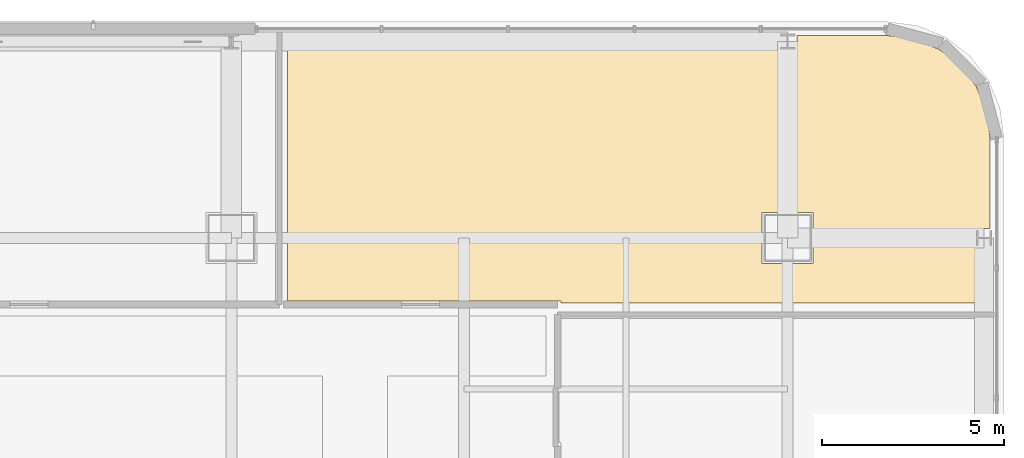
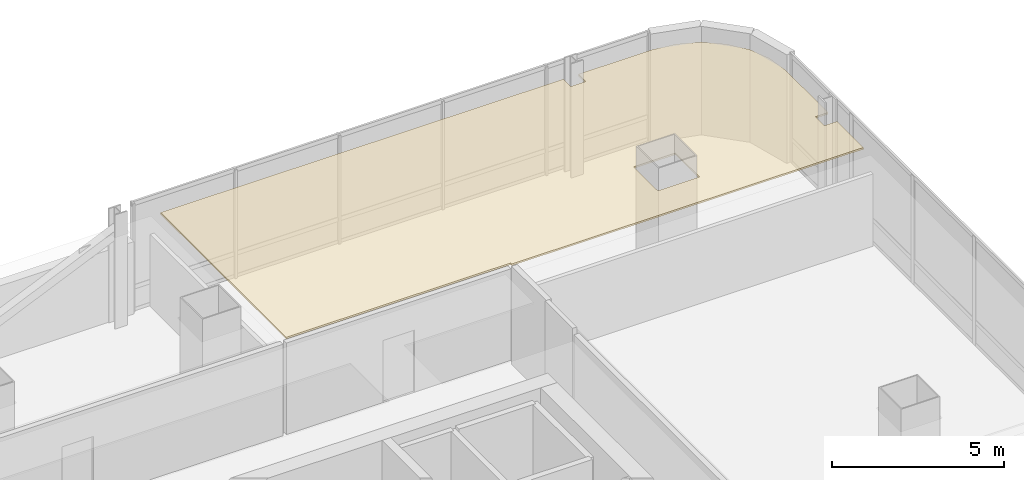
# One storey, part 44 of 44: 1 covering.
"""IFC4 building model written with IfcOpenShell, lengths in metres."""

from ifc_helpers import new_model, si_unit, direction, frame, origin, place, context, subcontext, project, spatial, polyline, outline, extrude, material, layer, layer_set, type_object, element, save


model = new_model("IFC4")

# Units and contexts
model_context = context("Model", 3, precision=1e-05, world=origin(), true_north=direction((0.0, 1.0)))
body_context = subcontext(model_context, "Body", "Model", "MODEL_VIEW")
ifc_project = project(units=[si_unit("LENGTHUNIT", "METRE"), si_unit("AREAUNIT", "SQUARE_METRE"), si_unit("VOLUMEUNIT", "CUBIC_METRE"), si_unit("PLANEANGLEUNIT", "RADIAN"), si_unit("MASSUNIT", "GRAM", prefix="KILO")], contexts=[model_context])

# Site, building, storey
site_placement = place(None, origin())
site = spatial("IfcSite", under=ifc_project, at=site_placement, CompositionType="ELEMENT")
building_placement = place(site_placement, origin())
building = spatial("IfcBuilding", under=site, at=building_placement, Name="Punatoya Terracotta Tower", CompositionType="ELEMENT")
storey_placement = place(building_placement, frame((0.0, 0.0, 267.60009765625)))
storey = spatial("IfcBuildingStorey", under=building, at=storey_placement, Name="L63", CompositionType="ELEMENT", Elevation=267.60009765625)

# Covering
ifc_material = material(Name="Acoustic Mineral Fibre Ceiling")
ifc_layer = layer(ifc_material, 0.06005859375)
ifc_layer_set = layer_set([ifc_layer], Name="Acoustic Mineral Fibre Ceiling")
covering_type = type_object("IfcCoveringType", Name="COV-CEIL-60", PredefinedType="CEILING", material=ifc_layer_set)
covering_placement = place(storey_placement, frame((0.0, 0.0, 3.239990234375)))
element("IfcCovering", 1, at=covering_placement, inside=storey, type_object=covering_type, Name="L63 Open-Plan Materials Testing Laboratory Acoustic Ceiling", PredefinedType="CEILING", context=body_context, shape_type="SweptSolid", body=[
    extrude(outline(polyline([(12.8701171875, 15.7099609375), (24.669921875, 15.7099609375), (24.669921875, 17.241943359375), (24.2470703125, 17.241943359375), (24.2470703125, 17.758056640625), (24.669921875, 17.758056640625), (24.669921875, 20.22509765625), (24.57080078125, 20.97900390625), (24.289306640625, 21.658203125), (23.841796875, 22.24169921875), (23.25830078125, 22.689453125), (22.5791015625, 22.970703125), (21.8251953125, 23.070068359375), (19.35302734375, 23.070068359375), (19.35302734375, 22.64208984375), (18.846923828125, 22.64208984375), (18.846923828125, 23.070068359375), (5.337890625, 23.070068359375), (5.337890625, 15.77001953125), (12.8701171875, 15.77001953125), (12.8701171875, 15.7099609375)]), holes=[polyline([(19.800048828125, 18.199951171875), (19.800048828125, 16.800048828125), (18.39990234375, 16.800048828125), (18.39990234375, 18.199951171875), (19.800048828125, 18.199951171875)])]), origin(), (0.0, 0.0, 1.0), 0.059814453125),
])

save(model, "model.ifc")
